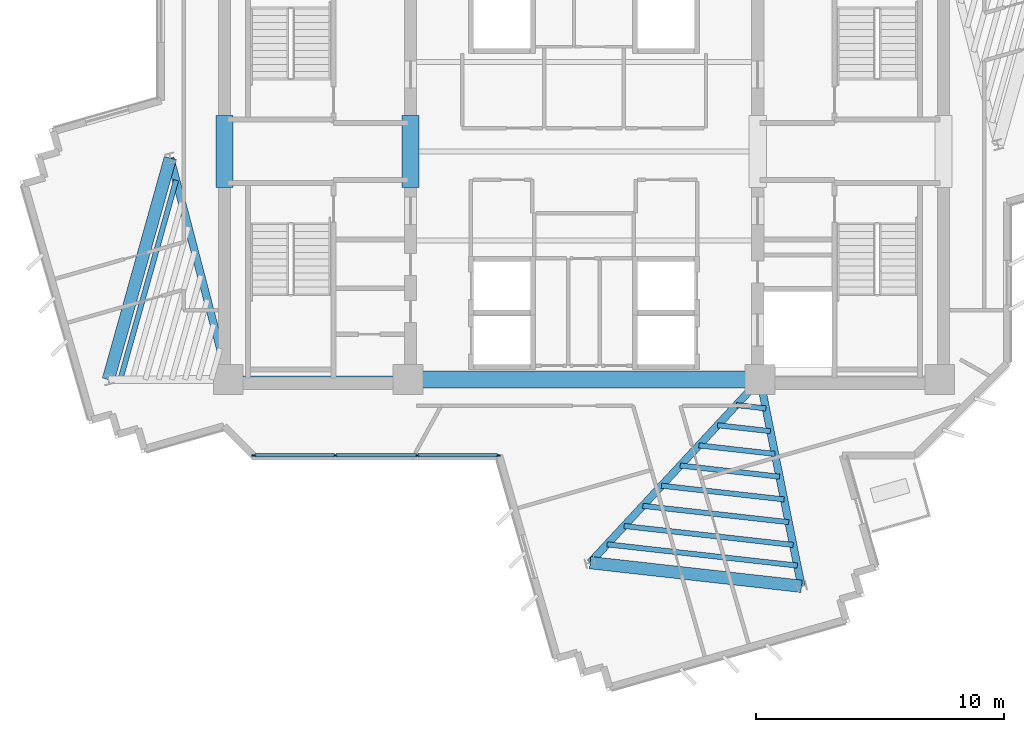
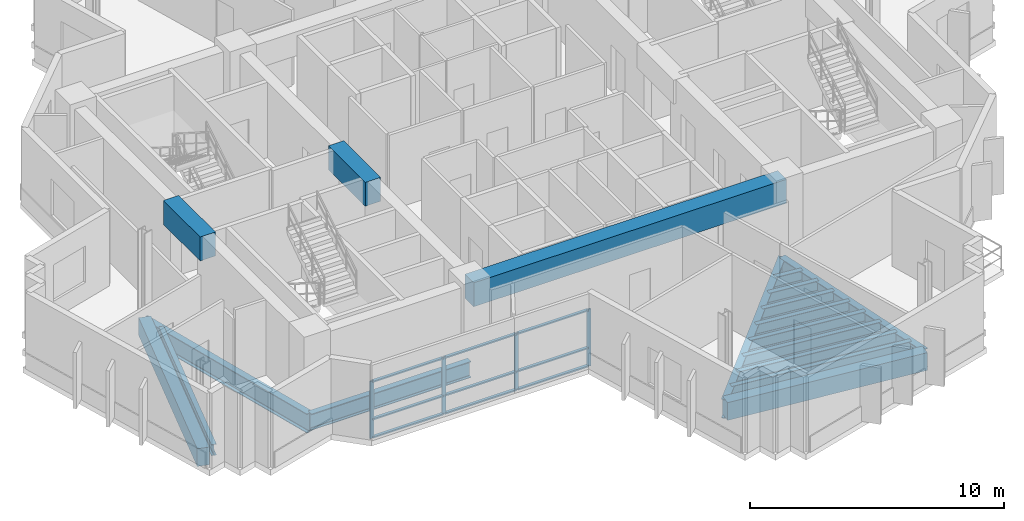
# One storey, part 2 of 14: 18 beams, 13 members, 1 element without a shape of its own.
"""IFC4 building model written with IfcOpenShell, lengths in metres."""

from ifc_helpers import new_model, si_unit, direction, frame, origin, origin_2d, place, context, subcontext, project, spatial, rectangle, i_section, extrude, source, transform, mapped, material, layer, layer_set, material_profile, profile_set, type_object, element, aggregate, save


model = new_model("IFC4")

# Units and contexts
model_context = context("Model", 3, precision=1e-05, world=origin(), true_north=direction((0.0, 1.0)))
body_context = subcontext(model_context, "Body", "Model", "MODEL_VIEW")
ifc_project = project(units=[si_unit("LENGTHUNIT", "METRE"), si_unit("AREAUNIT", "SQUARE_METRE"), si_unit("VOLUMEUNIT", "CUBIC_METRE"), si_unit("PLANEANGLEUNIT", "RADIAN"), si_unit("MASSUNIT", "GRAM", prefix="KILO")], contexts=[model_context])

# Site, building, storey
site_placement = place(None, origin())
site = spatial("IfcSite", under=ifc_project, at=site_placement, CompositionType="ELEMENT")
building_placement = place(site_placement, origin())
building = spatial("IfcBuilding", under=site, at=building_placement, Name="Zahravan Cultural Tower", CompositionType="ELEMENT")
storey_placement = place(building_placement, frame((0.0, 0.0, 209.699951171875)))
storey = spatial("IfcBuildingStorey", under=building, at=storey_placement, Name="L49", CompositionType="ELEMENT", Elevation=209.699951171875)

# Beams
ifc_material_1 = material(Name="Concrete C50/60", Category="concrete")
ifc_material_profile_1 = material_profile(ifc_material_1, rectangle(XDim=0.699951171875, YDim=1.14990234375, at=origin_2d()), Name="RC700X1150")
ifc_profile_set_1 = profile_set([ifc_material_profile_1], Name="Concrete C50/60")
beam_type_1 = type_object("IfcBeamType", Name="BM-LN-RC700X1150", PredefinedType="LINTEL", material=ifc_profile_set_1)
shared_shape_1 = source(origin(), body_context, "Body", "SweptSolid", [
    extrude(rectangle(XDim=0.699951171875, YDim=1.14990234375, at=origin_2d()), origin(), (0.0, 0.0, 1.0), 14.2001953125),
])
beam_1_placement = place(storey_placement, frame((28.89990234375, 17.800048828125, 3.045166015625), z_axis=(1.0, 0.0, 0.0), x_axis=(0.0, 1.0, 0.0)))
element("IfcBeam", 1, at=beam_1_placement, inside=storey, type_object=beam_type_1, Name="L49 Beam LN-L49-S", PredefinedType="LINTEL", context=body_context, shape_type="MappedRepresentation", body=[
    mapped(shared_shape_1, transform((0.0, 0.0, 0.0), x_axis=(1.0, 0.0, 0.0), y_axis=(0.0, 1.0, 0.0), z_axis=(0.0, 0.0, 1.0), scale=1.0)),
])
shared_shape_2 = source(origin(), body_context, "Body", "SweptSolid", [
    extrude(rectangle(XDim=0.699951171875, YDim=1.14990234375, at=origin_2d()), origin(), (0.0, 0.0, 1.0), 2.89990234375),
])
for number, where, z_axis, x_axis, name in (
    (2, (21.5, 25.550048828125, 3.045166015625), (0.0, 1.0, 0.0), (-1.0, 0.0, 0.0), "L49 Beam LN-L49-PWW"),
    (3, (29.0, 25.550048828125, 3.045166015625), (0.0, 1.0, 0.0), (-1.0, 0.0, 0.0), "L49 Beam LN-L49-PWE"),
):
    element("IfcBeam", number, at=place(storey_placement, frame(where, z_axis=z_axis, x_axis=x_axis)), inside=storey, type_object=beam_type_1, Name=name, PredefinedType="LINTEL", context=body_context, shape_type="MappedRepresentation", body=[
        mapped(shared_shape_2, transform((0.0, 0.0, 0.0), x_axis=(1.0, 0.0, 0.0), y_axis=(0.0, 1.0, 0.0), z_axis=(0.0, 0.0, 1.0), scale=1.0)),
    ])
ifc_material_2 = material(Name="Steel ASTM A992 Grade 50", Category="steel")
ifc_material_profile_2 = material_profile(ifc_material_2, i_section(OverallWidth=0.26611328125, OverallDepth=0.780029296875, WebThickness=0.0166015625, FlangeThickness=0.030029296875, FilletRadius=0.01904296875, at=origin_2d()), Name="W30X148")
ifc_profile_set_2 = profile_set([ifc_material_profile_2], Name="Steel ASTM A992 Grade 50")
beam_type_2 = type_object("IfcBeamType", Name="BM-G-W30X148", PredefinedType="BEAM", material=ifc_profile_set_2)
shared_shape_3 = source(origin(), body_context, "Body", "SweptSolid", [
    extrude(i_section(OverallWidth=0.26611328125, OverallDepth=0.780029296875, WebThickness=0.0166015625, FlangeThickness=0.030029296875, FilletRadius=0.01904296875, at=origin_2d()), origin(), (0.0, 0.0, 1.0), 7.25),
])
beam_2_placement = place(storey_placement, frame((21.64990234375, 17.800048828125, -0.669921875), z_axis=(1.0, 0.0, 0.0), x_axis=(0.0, 1.0, 0.0)))
element("IfcBeam", 4, at=beam_2_placement, inside=storey, type_object=beam_type_2, Name="L49 Beam BG-L49-01", PredefinedType="BEAM", context=body_context, shape_type="MappedRepresentation", body=[
    mapped(shared_shape_3, transform((0.0, 0.0, 0.0), x_axis=(1.0, 0.0, 0.0), y_axis=(0.0, 1.0, 0.0), z_axis=(0.0, 0.0, 1.0), scale=1.0)),
])
ifc_material_profile_3 = material_profile(ifc_material_2, i_section(OverallWidth=0.304931640625, OverallDepth=0.9189453125, WebThickness=0.017333984375, FlangeThickness=0.02783203125, FilletRadius=0.02392578125, at=origin_2d()), Name="W36X170")
ifc_profile_set_3 = profile_set([ifc_material_profile_3], Name="Steel ASTM A992 Grade 50")
beam_type_3 = type_object("IfcBeamType", Name="BM-G-W36X170", PredefinedType="BEAM", material=ifc_profile_set_3)
shared_shape_4 = source(origin(), body_context, "Body", "SweptSolid", [
    extrude(i_section(OverallWidth=0.304931640625, OverallDepth=0.9189453125, WebThickness=0.017333984375, FlangeThickness=0.02783203125, FilletRadius=0.02392578125, at=origin_2d()), origin(), (0.0, 0.0, 1.0), 9.22900390625),
])
beam_3_placement = place(storey_placement, frame((21.64990234375, 17.800048828125, -0.739501953125), z_axis=(-0.252922608408, 0.967486513682, 0.0), x_axis=(-0.967486513682, -0.252922608408, 0.0)))
element("IfcBeam", 5, at=beam_3_placement, inside=storey, type_object=beam_type_3, Name="L49 Beam BG-L49-07", PredefinedType="BEAM", context=body_context, shape_type="MappedRepresentation", body=[
    mapped(shared_shape_4, transform((0.0, 0.0, 0.0), x_axis=(1.0, 0.0, 0.0), y_axis=(0.0, 1.0, 0.0), z_axis=(0.0, 0.0, 1.0), scale=1.0)),
])
shared_shape_5 = source(origin(), body_context, "Body", "SweptSolid", [
    extrude(i_section(OverallWidth=0.304931640625, OverallDepth=0.9189453125, WebThickness=0.017333984375, FlangeThickness=0.02783203125, FilletRadius=0.02392578125, at=origin_2d()), origin(), (0.0, 0.0, 1.0), 10.077880859375),
])
beam_4_placement = place(storey_placement, frame((43.10009765625, 17.800048828125, -0.739501953125), z_axis=(-0.680170435587, -0.733054007938, 0.0), x_axis=(0.733054007938, -0.680170435587, 0.0)))
element("IfcBeam", 6, at=beam_4_placement, inside=storey, type_object=beam_type_3, Name="L49 Beam BG-L49-09", PredefinedType="BEAM", context=body_context, shape_type="MappedRepresentation", body=[
    mapped(shared_shape_5, transform((0.0, 0.0, 0.0), x_axis=(1.0, 0.0, 0.0), y_axis=(0.0, 1.0, 0.0), z_axis=(0.0, 0.0, 1.0), scale=1.0)),
])
shared_shape_6 = source(origin(), body_context, "Body", "SweptSolid", [
    extrude(i_section(OverallWidth=0.304931640625, OverallDepth=0.9189453125, WebThickness=0.017333984375, FlangeThickness=0.02783203125, FilletRadius=0.02392578125, at=origin_2d()), origin(), (0.0, 0.0, 1.0), 8.50732421875),
])
beam_5_placement = place(storey_placement, frame((43.10009765625, 17.800048828125, -0.739501953125), z_axis=(0.196524514012, -0.980498911469, 0.0), x_axis=(0.980498911469, 0.196524514012, 0.0)))
element("IfcBeam", 7, at=beam_5_placement, inside=storey, type_object=beam_type_3, Name="L49 Beam BG-L49-10", PredefinedType="BEAM", context=body_context, shape_type="MappedRepresentation", body=[
    mapped(shared_shape_6, transform((0.0, 0.0, 0.0), x_axis=(1.0, 0.0, 0.0), y_axis=(0.0, 1.0, 0.0), z_axis=(0.0, 0.0, 1.0), scale=1.0)),
])
ifc_material_profile_4 = material_profile(ifc_material_1, rectangle(XDim=0.5, YDim=0.85009765625, at=origin_2d()), Name="RC500X850")
ifc_profile_set_4 = profile_set([ifc_material_profile_4], Name="Concrete C50/60")
beam_type_4 = type_object("IfcBeamType", Name="BM-SP-RC500X850", PredefinedType="SPANDREL", material=ifc_profile_set_4)
shared_shape_7 = source(origin(), body_context, "Body", "SweptSolid", [
    extrude(rectangle(XDim=0.5, YDim=0.85009765625, at=origin_2d()), origin(), (0.0, 0.0, 1.0), 9.2783203125),
])
beam_6_placement = place(storey_placement, frame((19.315673828125, 26.72900390625, -0.704833984375), z_axis=(-0.269497187032, -0.963001176625, 0.0), x_axis=(0.963001176625, -0.269497187032, 0.0)))
element("IfcBeam", 8, at=beam_6_placement, inside=storey, type_object=beam_type_4, Name="L49 Beam SP-L49-15", PredefinedType="SPANDREL", context=body_context, shape_type="MappedRepresentation", body=[
    mapped(shared_shape_7, transform((0.0, 0.0, 0.0), x_axis=(1.0, 0.0, 0.0), y_axis=(0.0, 1.0, 0.0), z_axis=(0.0, 0.0, 1.0), scale=1.0)),
])
shared_shape_8 = source(origin(), body_context, "Body", "SweptSolid", [
    extrude(rectangle(XDim=0.5, YDim=0.85009765625, at=origin_2d()), origin(), (0.0, 0.0, 1.0), 8.579833984375),
])
beam_7_placement = place(storey_placement, frame((36.245361328125, 10.412353515625, -0.704833984375), z_axis=(0.9938040105, -0.11114669907, 0.0), x_axis=(0.11114669907, 0.9938040105, 0.0)))
element("IfcBeam", 9, at=beam_7_placement, inside=storey, type_object=beam_type_4, Name="L49 Beam SP-L49-16", PredefinedType="SPANDREL", context=body_context, shape_type="MappedRepresentation", body=[
    mapped(shared_shape_8, transform((0.0, 0.0, 0.0), x_axis=(1.0, 0.0, 0.0), y_axis=(0.0, 1.0, 0.0), z_axis=(0.0, 0.0, 1.0), scale=1.0)),
])
ifc_material_profile_5 = material_profile(ifc_material_2, i_section(OverallWidth=0.2099609375, OverallDepth=0.532958984375, WebThickness=0.01025390625, FlangeThickness=0.015625, FilletRadius=0.013916015625, at=origin_2d()), Name="W21X62")
ifc_profile_set_5 = profile_set([ifc_material_profile_5], Name="Steel ASTM A992 Grade 50")
beam_type_5 = type_object("IfcBeamType", Name="BM-J-W21X62", PredefinedType="JOIST", material=ifc_profile_set_5)
shared_shape_9 = source(origin(), body_context, "Body", "SweptSolid", [
    extrude(i_section(OverallWidth=0.2099609375, OverallDepth=0.532958984375, WebThickness=0.01025390625, FlangeThickness=0.015625, FilletRadius=0.013916015625, at=origin_2d()), origin(), (0.0, 0.0, 1.0), 8.350830078125),
])
beam_8_placement = place(storey_placement, frame((19.549072265625, 25.836181640625, -0.54638671875), z_axis=(-0.269496539555, -0.963001357822, 0.0), x_axis=(0.963001357822, -0.269496539555, 0.0)))
element("IfcBeam", 10, at=beam_8_placement, inside=storey, type_object=beam_type_5, Name="L49 Beam BJ-L49-29", PredefinedType="JOIST", context=body_context, shape_type="MappedRepresentation", body=[
    mapped(shared_shape_9, transform((0.0, 0.0, 0.0), x_axis=(1.0, 0.0, 0.0), y_axis=(0.0, 1.0, 0.0), z_axis=(0.0, 0.0, 1.0), scale=1.0)),
])
shared_shape_10 = source(origin(), body_context, "Body", "SweptSolid", [
    extrude(i_section(OverallWidth=0.2099609375, OverallDepth=0.532958984375, WebThickness=0.01025390625, FlangeThickness=0.015625, FilletRadius=0.013916015625, at=origin_2d()), origin(), (0.0, 0.0, 1.0), 1.201171875),
])
beam_9_placement = place(storey_placement, frame((42.140380859375, 16.765625, -0.54638671875), z_axis=(0.99379916149, -0.111190047317, 0.0), x_axis=(0.111190047317, 0.99379916149, 0.0)))
element("IfcBeam", 11, at=beam_9_placement, inside=storey, type_object=beam_type_5, Name="L49 Beam BJ-L49-30", PredefinedType="JOIST", context=body_context, shape_type="MappedRepresentation", body=[
    mapped(shared_shape_10, transform((0.0, 0.0, 0.0), x_axis=(1.0, 0.0, 0.0), y_axis=(0.0, 1.0, 0.0), z_axis=(0.0, 0.0, 1.0), scale=1.0)),
])
shared_shape_11 = source(origin(), body_context, "Body", "SweptSolid", [
    extrude(i_section(OverallWidth=0.2099609375, OverallDepth=0.532958984375, WebThickness=0.01025390625, FlangeThickness=0.015625, FilletRadius=0.013916015625, at=origin_2d()), origin(), (0.0, 0.0, 1.0), 2.144775390625),
])
beam_10_placement = place(storey_placement, frame((41.386474609375, 15.953125, -0.54638671875), z_axis=(0.993797370806, -0.111206051, 0.0), x_axis=(0.111206051, 0.993797370806, 0.0)))
element("IfcBeam", 12, at=beam_10_placement, inside=storey, type_object=beam_type_5, Name="L49 Beam BJ-L49-31", PredefinedType="JOIST", context=body_context, shape_type="MappedRepresentation", body=[
    mapped(shared_shape_11, transform((0.0, 0.0, 0.0), x_axis=(1.0, 0.0, 0.0), y_axis=(0.0, 1.0, 0.0), z_axis=(0.0, 0.0, 1.0), scale=1.0)),
])
shared_shape_12 = source(origin(), body_context, "Body", "SweptSolid", [
    extrude(i_section(OverallWidth=0.2099609375, OverallDepth=0.532958984375, WebThickness=0.01025390625, FlangeThickness=0.015625, FilletRadius=0.013916015625, at=origin_2d()), origin(), (0.0, 0.0, 1.0), 3.088623046875),
])
beam_11_placement = place(storey_placement, frame((40.63232421875, 15.140380859375, -0.54638671875), z_axis=(0.993805407368, -0.111134208443, 0.0), x_axis=(0.111134208443, 0.993805407368, 0.0)))
element("IfcBeam", 13, at=beam_11_placement, inside=storey, type_object=beam_type_5, Name="L49 Beam BJ-L49-32", PredefinedType="JOIST", context=body_context, shape_type="MappedRepresentation", body=[
    mapped(shared_shape_12, transform((0.0, 0.0, 0.0), x_axis=(1.0, 0.0, 0.0), y_axis=(0.0, 1.0, 0.0), z_axis=(0.0, 0.0, 1.0), scale=1.0)),
])
shared_shape_13 = source(origin(), body_context, "Body", "SweptSolid", [
    extrude(i_section(OverallWidth=0.2099609375, OverallDepth=0.532958984375, WebThickness=0.01025390625, FlangeThickness=0.015625, FilletRadius=0.013916015625, at=origin_2d()), origin(), (0.0, 0.0, 1.0), 4.0322265625),
])
beam_12_placement = place(storey_placement, frame((39.87841796875, 14.327880859375, -0.54638671875), z_axis=(0.993802245601, -0.11116247855, 0.0), x_axis=(0.11116247855, 0.993802245601, 0.0)))
element("IfcBeam", 14, at=beam_12_placement, inside=storey, type_object=beam_type_5, Name="L49 Beam BJ-L49-33", PredefinedType="JOIST", context=body_context, shape_type="MappedRepresentation", body=[
    mapped(shared_shape_13, transform((0.0, 0.0, 0.0), x_axis=(1.0, 0.0, 0.0), y_axis=(0.0, 1.0, 0.0), z_axis=(0.0, 0.0, 1.0), scale=1.0)),
])
shared_shape_14 = source(origin(), body_context, "Body", "SweptSolid", [
    extrude(i_section(OverallWidth=0.2099609375, OverallDepth=0.532958984375, WebThickness=0.01025390625, FlangeThickness=0.015625, FilletRadius=0.013916015625, at=origin_2d()), origin(), (0.0, 0.0, 1.0), 4.97607421875),
])
beam_13_placement = place(storey_placement, frame((39.124267578125, 13.51513671875, -0.54638671875), z_axis=(0.993806308517, -0.111126149723, 0.0), x_axis=(0.111126149723, 0.993806308517, 0.0)))
element("IfcBeam", 15, at=beam_13_placement, inside=storey, type_object=beam_type_5, Name="L49 Beam BJ-L49-34", PredefinedType="JOIST", context=body_context, shape_type="MappedRepresentation", body=[
    mapped(shared_shape_14, transform((0.0, 0.0, 0.0), x_axis=(1.0, 0.0, 0.0), y_axis=(0.0, 1.0, 0.0), z_axis=(0.0, 0.0, 1.0), scale=1.0)),
])
shared_shape_15 = source(origin(), body_context, "Body", "SweptSolid", [
    extrude(i_section(OverallWidth=0.2099609375, OverallDepth=0.532958984375, WebThickness=0.01025390625, FlangeThickness=0.015625, FilletRadius=0.013916015625, at=origin_2d()), origin(), (0.0, 0.0, 1.0), 5.919921875),
])
beam_14_placement = place(storey_placement, frame((38.370361328125, 12.70263671875, -0.54638671875), z_axis=(0.993804520866, -0.111142135602, 0.0), x_axis=(0.111142135602, 0.993804520866, 0.0)))
element("IfcBeam", 16, at=beam_14_placement, inside=storey, type_object=beam_type_5, Name="L49 Beam BJ-L49-35", PredefinedType="JOIST", context=body_context, shape_type="MappedRepresentation", body=[
    mapped(shared_shape_15, transform((0.0, 0.0, 0.0), x_axis=(1.0, 0.0, 0.0), y_axis=(0.0, 1.0, 0.0), z_axis=(0.0, 0.0, 1.0), scale=1.0)),
])
shared_shape_16 = source(origin(), body_context, "Body", "SweptSolid", [
    extrude(i_section(OverallWidth=0.2099609375, OverallDepth=0.532958984375, WebThickness=0.01025390625, FlangeThickness=0.015625, FilletRadius=0.013916015625, at=origin_2d()), origin(), (0.0, 0.0, 1.0), 6.86376953125),
])
beam_15_placement = place(storey_placement, frame((37.6162109375, 11.889892578125, -0.54638671875), z_axis=(0.993803224695, -0.111153725024, 0.0), x_axis=(0.111153725024, 0.993803224695, 0.0)))
element("IfcBeam", 17, at=beam_15_placement, inside=storey, type_object=beam_type_5, Name="L49 Beam BJ-L49-36", PredefinedType="JOIST", context=body_context, shape_type="MappedRepresentation", body=[
    mapped(shared_shape_16, transform((0.0, 0.0, 0.0), x_axis=(1.0, 0.0, 0.0), y_axis=(0.0, 1.0, 0.0), z_axis=(0.0, 0.0, 1.0), scale=1.0)),
])
shared_shape_17 = source(origin(), body_context, "Body", "SweptSolid", [
    extrude(i_section(OverallWidth=0.2099609375, OverallDepth=0.532958984375, WebThickness=0.01025390625, FlangeThickness=0.015625, FilletRadius=0.013916015625, at=origin_2d()), origin(), (0.0, 0.0, 1.0), 7.7216796875),
])
beam_16_placement = place(storey_placement, frame((36.930908203125, 11.151123046875, -0.54638671875), z_axis=(0.993805212115, -0.11113595446, 0.0), x_axis=(0.11113595446, 0.993805212115, 0.0)))
element("IfcBeam", 18, at=beam_16_placement, inside=storey, type_object=beam_type_5, Name="L49 Beam BJ-L49-37", PredefinedType="JOIST", context=body_context, shape_type="MappedRepresentation", body=[
    mapped(shared_shape_17, transform((0.0, 0.0, 0.0), x_axis=(1.0, 0.0, 0.0), y_axis=(0.0, 1.0, 0.0), z_axis=(0.0, 0.0, 1.0), scale=1.0)),
])

# Curtain wall, members
ifc_material_3 = material(Name="Anodised bronze-aluminium mullion", Category="aluminium")
ifc_layer = layer(ifc_material_3, 0.1650390625)
ifc_layer_set = layer_set([ifc_layer], Name="Anodised bronze-aluminium mullion")
curtain_wall_type = type_object("IfcCurtainWallType", Name="CW-SYS-4", PredefinedType="USERDEFINED", material=ifc_layer_set)
curtain_wall_placement = place(storey_placement, origin())
curtain_wall = element("IfcCurtainWall", 19, at=curtain_wall_placement, inside=storey, type_object=curtain_wall_type, Name="L49 Recessed Curtain Wall CW-4.1", ObjectType="RECESSED GLAZING", PredefinedType="USERDEFINED")
ifc_material_profile_6 = material_profile(ifc_material_3, rectangle(XDim=0.06494140625, YDim=0.1650390625, at=origin_2d()), Name="AL-M65X165")
ifc_profile_set_6 = profile_set([ifc_material_profile_6], Name="Anodised bronze-aluminium mullion")
member_type_1 = type_object("IfcMemberType", Name="CWM-CW-4", PredefinedType="MULLION", material=ifc_profile_set_6)
shared_shape_18 = source(origin(), body_context, "Body", "SweptSolid", [
    extrude(rectangle(XDim=0.06494140625, YDim=0.1650390625, at=origin_2d()), origin(), (0.0, 0.0, 1.0), 2.739990234375),
])
member_1_placement = place(storey_placement, frame((32.546875, 14.739990234375, 0.0), z_axis=(0.0, 0.0, 1.0), x_axis=(0.0, -1.0, 0.0)))
member_1 = element("IfcMember", 20, at=member_1_placement, type_object=member_type_1, Name="CW-4 mullion 1", PredefinedType="MULLION", context=body_context, shape_type="MappedRepresentation", body=[
    mapped(shared_shape_18, transform((0.0, 0.0, 0.0), x_axis=(1.0, 0.0, 0.0), y_axis=(0.0, 1.0, 0.0), z_axis=(0.0, 0.0, 1.0), scale=1.0)),
])
member_2_placement = place(storey_placement, frame((29.272216796875, 14.739990234375, 0.0), z_axis=(0.0, 0.0, 1.0), x_axis=(0.0, -1.0, 0.0)))
member_2 = element("IfcMember", 21, at=member_2_placement, type_object=member_type_1, Name="CW-4 mullion 2", PredefinedType="MULLION", context=body_context, shape_type="MappedRepresentation", body=[
    mapped(shared_shape_18, transform((0.0, 0.0, 0.0), x_axis=(1.0, 0.0, 0.0), y_axis=(0.0, 1.0, 0.0), z_axis=(0.0, 0.0, 1.0), scale=1.0)),
])
member_3_placement = place(storey_placement, frame((25.965087890625, 14.739990234375, 0.0), z_axis=(0.0, 0.0, 1.0), x_axis=(0.0, -1.0, 0.0)))
member_3 = element("IfcMember", 22, at=member_3_placement, type_object=member_type_1, Name="CW-4 mullion 3", PredefinedType="MULLION", context=body_context, shape_type="MappedRepresentation", body=[
    mapped(shared_shape_18, transform((0.0, 0.0, 0.0), x_axis=(1.0, 0.0, 0.0), y_axis=(0.0, 1.0, 0.0), z_axis=(0.0, 0.0, 1.0), scale=1.0)),
])
member_4_placement = place(storey_placement, frame((22.6904296875, 14.739990234375, 0.0), z_axis=(0.0, 0.0, 1.0), x_axis=(0.0, -1.0, 0.0)))
member_4 = element("IfcMember", 23, at=member_4_placement, type_object=member_type_1, Name="CW-4 mullion 4", PredefinedType="MULLION", context=body_context, shape_type="MappedRepresentation", body=[
    mapped(shared_shape_18, transform((0.0, 0.0, 0.0), x_axis=(1.0, 0.0, 0.0), y_axis=(0.0, 1.0, 0.0), z_axis=(0.0, 0.0, 1.0), scale=1.0)),
])
ifc_material_profile_7 = material_profile(ifc_material_3, rectangle(XDim=0.1298828125, YDim=0.06494140625, at=origin_2d()), Name="AL-T65X130")
ifc_profile_set_7 = profile_set([ifc_material_profile_7], Name="Anodised bronze-aluminium mullion")
member_type_2 = type_object("IfcMemberType", Name="CWT-CW-4", PredefinedType="USERDEFINED", material=ifc_profile_set_7)
shared_shape_19 = source(origin(), body_context, "Body", "SweptSolid", [
    extrude(rectangle(XDim=0.1298828125, YDim=0.06494140625, at=origin_2d()), origin(), (0.0, 0.0, 1.0), 3.209716796875),
])
member_5_placement = place(storey_placement, frame((32.514404296875, 14.739990234375, 0.032470703125), z_axis=(-1.0, 0.0, 0.0), x_axis=(0.0, -1.0, 0.0)))
member_5 = element("IfcMember", 24, at=member_5_placement, type_object=member_type_2, Name="CW-4 transom 1.1", ObjectType="TRANSOM", PredefinedType="USERDEFINED", context=body_context, shape_type="MappedRepresentation", body=[
    mapped(shared_shape_19, transform((0.0, 0.0, 0.0), x_axis=(1.0, 0.0, 0.0), y_axis=(0.0, 1.0, 0.0), z_axis=(0.0, 0.0, 1.0), scale=1.0)),
])
member_6_placement = place(storey_placement, frame((32.514404296875, 14.739990234375, 0.900146484375), z_axis=(-1.0, 0.0, 0.0), x_axis=(0.0, -1.0, 0.0)))
member_6 = element("IfcMember", 25, at=member_6_placement, type_object=member_type_2, Name="CW-4 transom 1.2", ObjectType="TRANSOM", PredefinedType="USERDEFINED", context=body_context, shape_type="MappedRepresentation", body=[
    mapped(shared_shape_19, transform((0.0, 0.0, 0.0), x_axis=(1.0, 0.0, 0.0), y_axis=(0.0, 1.0, 0.0), z_axis=(0.0, 0.0, 1.0), scale=1.0)),
])
member_7_placement = place(storey_placement, frame((32.514404296875, 14.739990234375, 2.70751953125), z_axis=(-1.0, 0.0, 0.0), x_axis=(0.0, -1.0, 0.0)))
member_7 = element("IfcMember", 26, at=member_7_placement, type_object=member_type_2, Name="CW-4 transom 1.3", ObjectType="TRANSOM", PredefinedType="USERDEFINED", context=body_context, shape_type="MappedRepresentation", body=[
    mapped(shared_shape_19, transform((0.0, 0.0, 0.0), x_axis=(1.0, 0.0, 0.0), y_axis=(0.0, 1.0, 0.0), z_axis=(0.0, 0.0, 1.0), scale=1.0)),
])
member_8_placement = place(storey_placement, frame((25.9326171875, 14.739990234375, 0.032470703125), z_axis=(-1.0, 0.0, 0.0), x_axis=(0.0, -1.0, 0.0)))
member_8 = element("IfcMember", 27, at=member_8_placement, type_object=member_type_2, Name="CW-4 transom 3.1", ObjectType="TRANSOM", PredefinedType="USERDEFINED", context=body_context, shape_type="MappedRepresentation", body=[
    mapped(shared_shape_19, transform((0.0, 0.0, 0.0), x_axis=(1.0, 0.0, 0.0), y_axis=(0.0, 1.0, 0.0), z_axis=(0.0, 0.0, 1.0), scale=1.0)),
])
member_9_placement = place(storey_placement, frame((25.9326171875, 14.739990234375, 0.900146484375), z_axis=(-1.0, 0.0, 0.0), x_axis=(0.0, -1.0, 0.0)))
member_9 = element("IfcMember", 28, at=member_9_placement, type_object=member_type_2, Name="CW-4 transom 3.2", ObjectType="TRANSOM", PredefinedType="USERDEFINED", context=body_context, shape_type="MappedRepresentation", body=[
    mapped(shared_shape_19, transform((0.0, 0.0, 0.0), x_axis=(1.0, 0.0, 0.0), y_axis=(0.0, 1.0, 0.0), z_axis=(0.0, 0.0, 1.0), scale=1.0)),
])
member_10_placement = place(storey_placement, frame((25.9326171875, 14.739990234375, 2.70751953125), z_axis=(-1.0, 0.0, 0.0), x_axis=(0.0, -1.0, 0.0)))
member_10 = element("IfcMember", 29, at=member_10_placement, type_object=member_type_2, Name="CW-4 transom 3.3", ObjectType="TRANSOM", PredefinedType="USERDEFINED", context=body_context, shape_type="MappedRepresentation", body=[
    mapped(shared_shape_19, transform((0.0, 0.0, 0.0), x_axis=(1.0, 0.0, 0.0), y_axis=(0.0, 1.0, 0.0), z_axis=(0.0, 0.0, 1.0), scale=1.0)),
])
shared_shape_20 = source(origin(), body_context, "Body", "SweptSolid", [
    extrude(rectangle(XDim=0.1298828125, YDim=0.06494140625, at=origin_2d()), origin(), (0.0, 0.0, 1.0), 3.2421875),
])
member_11_placement = place(storey_placement, frame((29.23974609375, 14.739990234375, 0.032470703125), z_axis=(-1.0, 0.0, 0.0), x_axis=(0.0, -1.0, 0.0)))
member_11 = element("IfcMember", 30, at=member_11_placement, type_object=member_type_2, Name="CW-4 transom 2.1", ObjectType="TRANSOM", PredefinedType="USERDEFINED", context=body_context, shape_type="MappedRepresentation", body=[
    mapped(shared_shape_20, transform((0.0, 0.0, 0.0), x_axis=(1.0, 0.0, 0.0), y_axis=(0.0, 1.0, 0.0), z_axis=(0.0, 0.0, 1.0), scale=1.0)),
])
member_12_placement = place(storey_placement, frame((29.23974609375, 14.739990234375, 0.900146484375), z_axis=(-1.0, 0.0, 0.0), x_axis=(0.0, -1.0, 0.0)))
member_12 = element("IfcMember", 31, at=member_12_placement, type_object=member_type_2, Name="CW-4 transom 2.2", ObjectType="TRANSOM", PredefinedType="USERDEFINED", context=body_context, shape_type="MappedRepresentation", body=[
    mapped(shared_shape_20, transform((0.0, 0.0, 0.0), x_axis=(1.0, 0.0, 0.0), y_axis=(0.0, 1.0, 0.0), z_axis=(0.0, 0.0, 1.0), scale=1.0)),
])
member_13_placement = place(storey_placement, frame((29.23974609375, 14.739990234375, 2.70751953125), z_axis=(-1.0, 0.0, 0.0), x_axis=(0.0, -1.0, 0.0)))
member_13 = element("IfcMember", 32, at=member_13_placement, type_object=member_type_2, Name="CW-4 transom 2.3", ObjectType="TRANSOM", PredefinedType="USERDEFINED", context=body_context, shape_type="MappedRepresentation", body=[
    mapped(shared_shape_20, transform((0.0, 0.0, 0.0), x_axis=(1.0, 0.0, 0.0), y_axis=(0.0, 1.0, 0.0), z_axis=(0.0, 0.0, 1.0), scale=1.0)),
])
aggregate(curtain_wall, [member_1, member_2, member_3, member_4, member_5, member_6, member_7, member_11, member_12, member_13, member_8, member_9, member_10])

save(model, "model.ifc")
